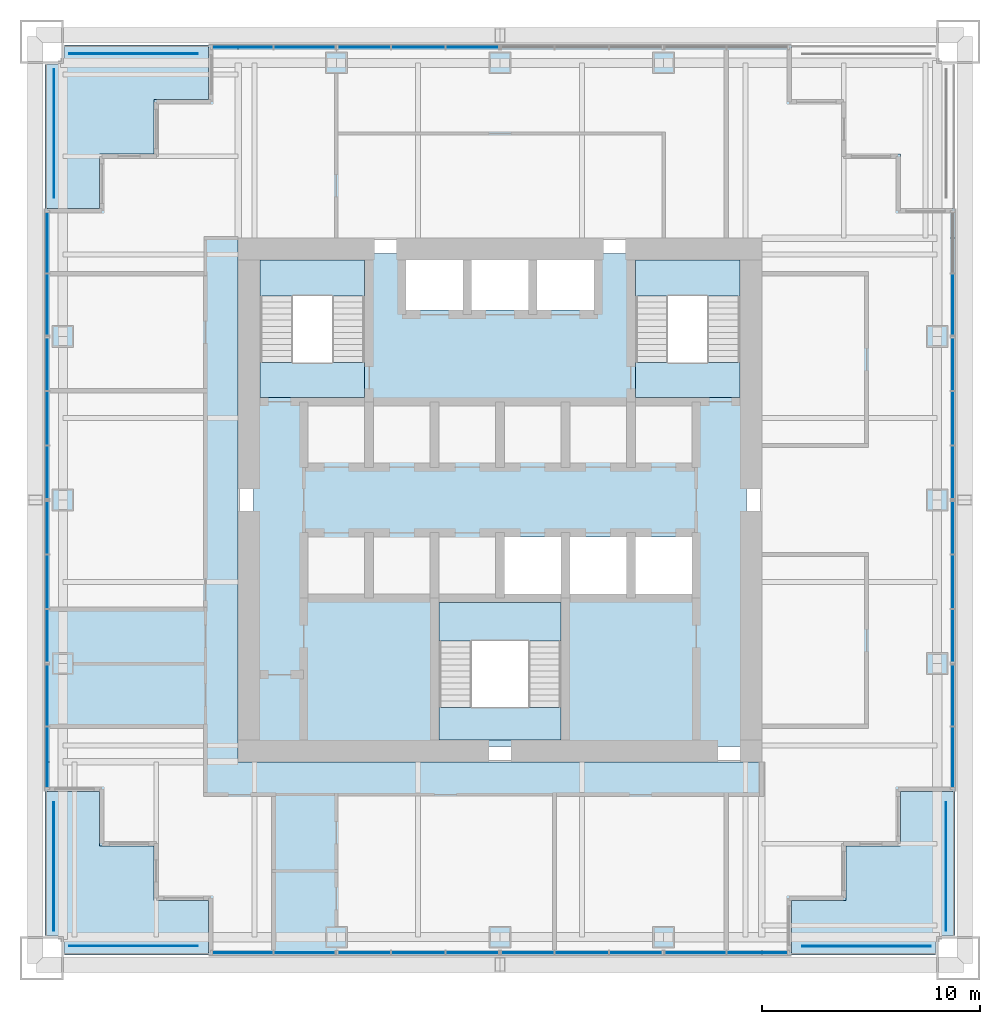
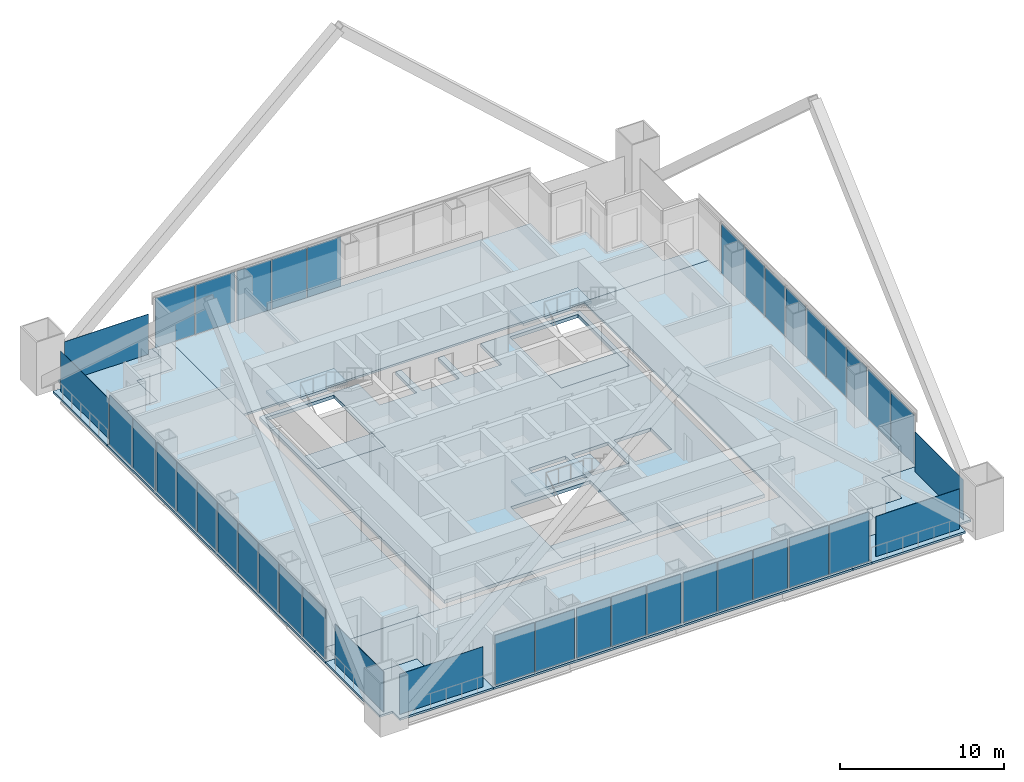
# One storey, part 7 of 13: 40 plates, 14 slabs, 17 elements without a shape of their own.
"""IFC4 building model written with IfcOpenShell, lengths in metres."""

from ifc_helpers import new_model, si_unit, direction, frame, origin, origin_2d, place, context, subcontext, project, spatial, polyline, rectangle, outline, extrude, material, layer, layer_set, type_object, element, aggregate, save


model = new_model("IFC4")

# Units and contexts
model_context = context("Model", 3, precision=1e-05, world=origin(), true_north=direction((0.0, 1.0)))
body_context = subcontext(model_context, "Body", "Model", "MODEL_VIEW")
ifc_project = project(units=[si_unit("LENGTHUNIT", "METRE"), si_unit("AREAUNIT", "SQUARE_METRE"), si_unit("VOLUMEUNIT", "CUBIC_METRE"), si_unit("PLANEANGLEUNIT", "RADIAN"), si_unit("MASSUNIT", "GRAM", prefix="KILO")], contexts=[model_context])

# Site, building, storey
site_placement = place(None, origin())
site = spatial("IfcSite", under=ifc_project, at=site_placement, CompositionType="ELEMENT")
building_placement = place(site_placement, origin())
building = spatial("IfcBuilding", under=site, at=building_placement, Name="Tarangal Relay Tower", CompositionType="ELEMENT")
storey_placement = place(building_placement, frame((0.0, 0.0, 259.89990234375)))
storey = spatial("IfcBuildingStorey", under=building, at=storey_placement, Name="L56", CompositionType="ELEMENT", Elevation=259.89990234375)

# Slabs
ifc_material_1 = material(Name="Concrete fc' 35 MPa", Category="concrete")
ifc_layer_1 = layer(ifc_material_1, 0.25)
ifc_layer_set_1 = layer_set([ifc_layer_1], Name="Core floor slab 250")
slab_type_1 = type_object("IfcSlabType", Name="Core floor slab 250", PredefinedType="FLOOR", material=ifc_layer_set_1)
slab_1_placement = place(storey_placement, frame((0.0, 0.0, -0.25)))
element("IfcSlab", 1, at=slab_1_placement, inside=storey, type_object=slab_type_1, Name="Core floor slab L56", PredefinedType="FLOOR", context=body_context, shape_type="SweptSolid", body=[
    extrude(outline(polyline([(11.300048828125, 11.300048828125), (11.300048828125, -11.300048828125), (-11.300048828125, -11.300048828125), (-11.300048828125, 11.300048828125), (-4.300048828125, 11.300048828125), (-4.300048828125, 8.699951171875), (-1.699951171875, 8.699951171875), (-1.699951171875, 11.300048828125), (-1.300048828125, 11.300048828125), (-1.300048828125, 8.699951171875), (1.300048828125, 8.699951171875), (1.300048828125, 11.300048828125), (1.699951171875, 11.300048828125), (1.699951171875, 8.699951171875), (4.300048828125, 8.699951171875), (4.300048828125, 11.300048828125), (11.300048828125, 11.300048828125)]), holes=[polyline([(2.800048828125, -4.699951171875), (-2.800048828125, -4.699951171875), (-2.800048828125, -11.0), (2.800048828125, -11.0), (2.800048828125, -4.699951171875)]), polyline([(2.800048828125, -1.699951171875), (0.199951171875, -1.699951171875), (0.199951171875, -4.300048828125), (2.800048828125, -4.300048828125), (2.800048828125, -1.699951171875)]), polyline([(5.800048828125, -1.699951171875), (3.199951171875, -1.699951171875), (3.199951171875, -4.300048828125), (5.800048828125, -4.300048828125), (5.800048828125, -1.699951171875)]), polyline([(8.800048828125, -1.699951171875), (6.199951171875, -1.699951171875), (6.199951171875, -4.300048828125), (8.800048828125, -4.300048828125), (8.800048828125, -1.699951171875)]), polyline([(-6.199951171875, 11.0), (-11.0, 11.0), (-11.0, 4.699951171875), (-6.199951171875, 4.699951171875), (-6.199951171875, 11.0)]), polyline([(11.0, 11.0), (6.199951171875, 11.0), (6.199951171875, 4.699951171875), (11.0, 4.699951171875), (11.0, 11.0)])]), origin(), (0.0, 0.0, 1.0), 0.25),
])
ifc_layer_2 = layer(ifc_material_1, 0.14990234375)
ifc_layer_set_2 = layer_set([ifc_layer_2], Name="Floor slab 150")
slab_type_2 = type_object("IfcSlabType", Name="Floor slab 150", PredefinedType="FLOOR", material=ifc_layer_set_2)
slab_2_placement = place(storey_placement, frame((0.0, 0.0, -0.14990234375)))
element("IfcSlab", 2, at=slab_2_placement, inside=storey, type_object=slab_type_2, Name="Floor slab FS3 L56 north bay", PredefinedType="FLOOR", context=body_context, shape_type="SweptSolid", body=[
    extrude(outline(polyline([(13.35009765625, 20.85009765625), (13.35009765625, 18.35009765625), (15.85009765625, 18.35009765625), (15.85009765625, 15.85009765625), (18.35009765625, 15.85009765625), (18.35009765625, 13.35009765625), (20.85009765625, 13.35009765625), (20.85009765625, 12.0), (-12.0, 12.0), (-12.0, 20.85009765625), (13.35009765625, 20.85009765625)])), origin(), (0.0, 0.0, 1.0), 0.14990234375),
])
slab_3_placement = place(storey_placement, frame((0.0, 0.0, -0.14990234375)))
element("IfcSlab", 3, at=slab_3_placement, inside=storey, type_object=slab_type_2, Name="Floor slab FS3 L56 east bay", PredefinedType="FLOOR", context=body_context, shape_type="SweptSolid", body=[
    extrude(outline(polyline([(20.85009765625, -13.35009765625), (18.35009765625, -13.35009765625), (18.35009765625, -15.85009765625), (15.85009765625, -15.85009765625), (15.85009765625, -18.35009765625), (13.35009765625, -18.35009765625), (13.35009765625, -20.85009765625), (12.0, -20.85009765625), (12.0, 12.0), (20.85009765625, 12.0), (20.85009765625, -13.35009765625)])), origin(), (0.0, 0.0, 1.0), 0.14990234375),
])
slab_4_placement = place(storey_placement, frame((0.0, 0.0, -0.14990234375)))
element("IfcSlab", 4, at=slab_4_placement, inside=storey, type_object=slab_type_2, Name="Floor slab FS3 L56 south bay", PredefinedType="FLOOR", context=body_context, shape_type="SweptSolid", body=[
    extrude(outline(polyline([(-13.35009765625, -20.85009765625), (-13.35009765625, -18.35009765625), (-15.85009765625, -18.35009765625), (-15.85009765625, -15.85009765625), (-18.35009765625, -15.85009765625), (-18.35009765625, -13.35009765625), (-20.85009765625, -13.35009765625), (-20.85009765625, -12.0), (12.0, -12.0), (12.0, -20.85009765625), (-13.35009765625, -20.85009765625)])), origin(), (0.0, 0.0, 1.0), 0.14990234375),
])
slab_5_placement = place(storey_placement, frame((0.0, 0.0, -0.14990234375)))
element("IfcSlab", 5, at=slab_5_placement, inside=storey, type_object=slab_type_2, Name="Floor slab FS3 L56 west bay", PredefinedType="FLOOR", context=body_context, shape_type="SweptSolid", body=[
    extrude(outline(polyline([(-12.0, 20.85009765625), (-12.0, -12.0), (-20.85009765625, -12.0), (-20.85009765625, 13.35009765625), (-18.35009765625, 13.35009765625), (-18.35009765625, 15.85009765625), (-15.85009765625, 15.85009765625), (-15.85009765625, 18.35009765625), (-13.35009765625, 18.35009765625), (-13.35009765625, 20.85009765625), (-12.0, 20.85009765625)])), origin(), (0.0, 0.0, 1.0), 0.14990234375),
])

# Curtain wall, plates
ifc_material_2 = material(Name="Unitised curtain wall, dark glass and black aluminium", Category="aluminium")
curtain_wall_type = type_object("IfcCurtainWallType", Name="Curtain wall CW-S", PredefinedType="USERDEFINED", material=ifc_material_2)
curtain_wall_1_placement = place(storey_placement, origin())
curtain_wall_1 = element("IfcCurtainWall", 6, at=curtain_wall_1_placement, inside=storey, type_object=curtain_wall_type, Name="Curtain wall CW-S N facade L56", ObjectType="UNITISED CURTAIN WALL", PredefinedType="USERDEFINED")
ifc_material_3 = material(Name="Dark tinted insulated glass unit", Category="glass")
ifc_layer_3 = layer(ifc_material_3, 0.035888671875)
ifc_layer_set_3 = layer_set([ifc_layer_3], Name="Glazed panel CW-S 36")
plate_type_1 = type_object("IfcPlateType", Name="Glazed panel CW-S 36", PredefinedType="CURTAIN_PANEL", material=ifc_layer_set_3)
plate_1_placement = place(storey_placement, frame((-11.793701171875, 20.75, 0.0751953125), z_axis=(0.0, 0.0, 1.0), x_axis=(1.0, 0.0, 0.0)))
plate_1 = element("IfcPlate", 7, at=plate_1_placement, type_object=plate_type_1, Name="CW-S panel 1.1", PredefinedType="CURTAIN_PANEL", context=body_context, shape_type="SweptSolid", body=[
    extrude(rectangle(XDim=2.762451171875, YDim=0.035888671875, at=origin_2d()), origin(), (0.0, 0.0, 1.0), 3.699951171875),
])
plate_2_placement = place(storey_placement, frame((-8.956298828125, 20.75, 0.0751953125), z_axis=(0.0, 0.0, 1.0), x_axis=(1.0, 0.0, 0.0)))
plate_2 = element("IfcPlate", 8, at=plate_2_placement, type_object=plate_type_1, Name="CW-S panel 2.1", PredefinedType="CURTAIN_PANEL", context=body_context, shape_type="SweptSolid", body=[
    extrude(rectangle(XDim=2.762451171875, YDim=0.035888671875, at=origin_2d()), origin(), (0.0, 0.0, 1.0), 3.699951171875),
])
aggregate(curtain_wall_1, [plate_1, plate_2])

curtain_wall_2_placement = place(storey_placement, origin())
curtain_wall_2 = element("IfcCurtainWall", 9, at=curtain_wall_2_placement, inside=storey, type_object=curtain_wall_type, Name="Curtain wall CW-S N facade L56", ObjectType="UNITISED CURTAIN WALL", PredefinedType="USERDEFINED")
plate_3_placement = place(storey_placement, frame((-6.231201171875, 20.75, 0.0751953125), z_axis=(0.0, 0.0, 1.0), x_axis=(1.0, 0.0, 0.0)))
plate_3 = element("IfcPlate", 10, at=plate_3_placement, type_object=plate_type_1, Name="CW-S panel 1.1", PredefinedType="CURTAIN_PANEL", context=body_context, shape_type="SweptSolid", body=[
    extrude(rectangle(XDim=2.387451171875, YDim=0.035888671875, at=origin_2d()), origin(), (0.0, 0.0, 1.0), 3.699951171875),
])
plate_4_placement = place(storey_placement, frame((-3.75, 20.75, 0.0751953125), z_axis=(0.0, 0.0, 1.0), x_axis=(1.0, 0.0, 0.0)))
plate_4 = element("IfcPlate", 11, at=plate_4_placement, type_object=plate_type_1, Name="CW-S panel 2.1", PredefinedType="CURTAIN_PANEL", context=body_context, shape_type="SweptSolid", body=[
    extrude(rectangle(XDim=2.425048828125, YDim=0.035888671875, at=origin_2d()), origin(), (0.0, 0.0, 1.0), 3.699951171875),
])
plate_5_placement = place(storey_placement, frame((-1.268798828125, 20.75, 0.0751953125), z_axis=(0.0, 0.0, 1.0), x_axis=(1.0, 0.0, 0.0)))
plate_5 = element("IfcPlate", 12, at=plate_5_placement, type_object=plate_type_1, Name="CW-S panel 3.1", PredefinedType="CURTAIN_PANEL", context=body_context, shape_type="SweptSolid", body=[
    extrude(rectangle(XDim=2.387451171875, YDim=0.035888671875, at=origin_2d()), origin(), (0.0, 0.0, 1.0), 3.699951171875),
])
aggregate(curtain_wall_2, [plate_3, plate_4, plate_5])

# Curtain wall, plate
curtain_wall_3_placement = place(storey_placement, origin())
curtain_wall_3 = element("IfcCurtainWall", 13, at=curtain_wall_3_placement, inside=storey, type_object=curtain_wall_type, Name="Curtain wall CW-S E facade L56", ObjectType="UNITISED CURTAIN WALL", PredefinedType="USERDEFINED")
plate_6_placement = place(storey_placement, frame((20.75, 8.956298828125, 0.0751953125), z_axis=(0.0, 0.0, 1.0), x_axis=(0.0, -1.0, 0.0)))
plate_6 = element("IfcPlate", 14, at=plate_6_placement, type_object=plate_type_1, Name="CW-S panel 2.1", PredefinedType="CURTAIN_PANEL", context=body_context, shape_type="SweptSolid", body=[
    extrude(rectangle(XDim=2.762451171875, YDim=0.035888671875, at=origin_2d()), origin(), (0.0, 0.0, 1.0), 3.699951171875),
])
aggregate(curtain_wall_3, [plate_6])

# Curtain wall, plates
curtain_wall_4_placement = place(storey_placement, origin())
curtain_wall_4 = element("IfcCurtainWall", 15, at=curtain_wall_4_placement, inside=storey, type_object=curtain_wall_type, Name="Curtain wall CW-S E facade L56", ObjectType="UNITISED CURTAIN WALL", PredefinedType="USERDEFINED")
plate_7_placement = place(storey_placement, frame((20.75, 6.231201171875, 0.0751953125), z_axis=(0.0, 0.0, 1.0), x_axis=(0.0, -1.0, 0.0)))
plate_7 = element("IfcPlate", 16, at=plate_7_placement, type_object=plate_type_1, Name="CW-S panel 1.1", PredefinedType="CURTAIN_PANEL", context=body_context, shape_type="SweptSolid", body=[
    extrude(rectangle(XDim=2.387451171875, YDim=0.035888671875, at=origin_2d()), origin(), (0.0, 0.0, 1.0), 3.699951171875),
])
plate_8_placement = place(storey_placement, frame((20.75, 3.75, 0.0751953125), z_axis=(0.0, 0.0, 1.0), x_axis=(0.0, -1.0, 0.0)))
plate_8 = element("IfcPlate", 17, at=plate_8_placement, type_object=plate_type_1, Name="CW-S panel 2.1", PredefinedType="CURTAIN_PANEL", context=body_context, shape_type="SweptSolid", body=[
    extrude(rectangle(XDim=2.425048828125, YDim=0.035888671875, at=origin_2d()), origin(), (0.0, 0.0, 1.0), 3.699951171875),
])
plate_9_placement = place(storey_placement, frame((20.75, 1.268798828125, 0.0751953125), z_axis=(0.0, 0.0, 1.0), x_axis=(0.0, -1.0, 0.0)))
plate_9 = element("IfcPlate", 18, at=plate_9_placement, type_object=plate_type_1, Name="CW-S panel 3.1", PredefinedType="CURTAIN_PANEL", context=body_context, shape_type="SweptSolid", body=[
    extrude(rectangle(XDim=2.387451171875, YDim=0.035888671875, at=origin_2d()), origin(), (0.0, 0.0, 1.0), 3.699951171875),
])
aggregate(curtain_wall_4, [plate_7, plate_8, plate_9])

curtain_wall_5_placement = place(storey_placement, origin())
curtain_wall_5 = element("IfcCurtainWall", 19, at=curtain_wall_5_placement, inside=storey, type_object=curtain_wall_type, Name="Curtain wall CW-S E facade L56", ObjectType="UNITISED CURTAIN WALL", PredefinedType="USERDEFINED")
plate_10_placement = place(storey_placement, frame((20.75, -1.268798828125, 0.0751953125), z_axis=(0.0, 0.0, 1.0), x_axis=(0.0, -1.0, 0.0)))
plate_10 = element("IfcPlate", 20, at=plate_10_placement, type_object=plate_type_1, Name="CW-S panel 1.1", PredefinedType="CURTAIN_PANEL", context=body_context, shape_type="SweptSolid", body=[
    extrude(rectangle(XDim=2.387451171875, YDim=0.035888671875, at=origin_2d()), origin(), (0.0, 0.0, 1.0), 3.699951171875),
])
plate_11_placement = place(storey_placement, frame((20.75, -3.75, 0.0751953125), z_axis=(0.0, 0.0, 1.0), x_axis=(0.0, -1.0, 0.0)))
plate_11 = element("IfcPlate", 21, at=plate_11_placement, type_object=plate_type_1, Name="CW-S panel 2.1", PredefinedType="CURTAIN_PANEL", context=body_context, shape_type="SweptSolid", body=[
    extrude(rectangle(XDim=2.425048828125, YDim=0.035888671875, at=origin_2d()), origin(), (0.0, 0.0, 1.0), 3.699951171875),
])
plate_12_placement = place(storey_placement, frame((20.75, -6.231201171875, 0.0751953125), z_axis=(0.0, 0.0, 1.0), x_axis=(0.0, -1.0, 0.0)))
plate_12 = element("IfcPlate", 22, at=plate_12_placement, type_object=plate_type_1, Name="CW-S panel 3.1", PredefinedType="CURTAIN_PANEL", context=body_context, shape_type="SweptSolid", body=[
    extrude(rectangle(XDim=2.387451171875, YDim=0.035888671875, at=origin_2d()), origin(), (0.0, 0.0, 1.0), 3.699951171875),
])
aggregate(curtain_wall_5, [plate_10, plate_11, plate_12])

curtain_wall_6_placement = place(storey_placement, origin())
curtain_wall_6 = element("IfcCurtainWall", 23, at=curtain_wall_6_placement, inside=storey, type_object=curtain_wall_type, Name="Curtain wall CW-S E facade L56", ObjectType="UNITISED CURTAIN WALL", PredefinedType="USERDEFINED")
plate_13_placement = place(storey_placement, frame((20.75, -8.956298828125, 0.0751953125), z_axis=(0.0, 0.0, 1.0), x_axis=(0.0, -1.0, 0.0)))
plate_13 = element("IfcPlate", 24, at=plate_13_placement, type_object=plate_type_1, Name="CW-S panel 1.1", PredefinedType="CURTAIN_PANEL", context=body_context, shape_type="SweptSolid", body=[
    extrude(rectangle(XDim=2.762451171875, YDim=0.035888671875, at=origin_2d()), origin(), (0.0, 0.0, 1.0), 3.699951171875),
])
plate_14_placement = place(storey_placement, frame((20.75, -11.793701171875, 0.0751953125), z_axis=(0.0, 0.0, 1.0), x_axis=(0.0, -1.0, 0.0)))
plate_14 = element("IfcPlate", 25, at=plate_14_placement, type_object=plate_type_1, Name="CW-S panel 2.1", PredefinedType="CURTAIN_PANEL", context=body_context, shape_type="SweptSolid", body=[
    extrude(rectangle(XDim=2.762451171875, YDim=0.035888671875, at=origin_2d()), origin(), (0.0, 0.0, 1.0), 3.699951171875),
])
aggregate(curtain_wall_6, [plate_13, plate_14])

curtain_wall_7_placement = place(storey_placement, origin())
curtain_wall_7 = element("IfcCurtainWall", 26, at=curtain_wall_7_placement, inside=storey, type_object=curtain_wall_type, Name="Curtain wall CW-S S facade L56", ObjectType="UNITISED CURTAIN WALL", PredefinedType="USERDEFINED")
plate_15_placement = place(storey_placement, frame((11.793701171875, -20.75, 0.0751953125), z_axis=(0.0, 0.0, 1.0), x_axis=(-1.0, 0.0, 0.0)))
plate_15 = element("IfcPlate", 27, at=plate_15_placement, type_object=plate_type_1, Name="CW-S panel 1.1", PredefinedType="CURTAIN_PANEL", context=body_context, shape_type="SweptSolid", body=[
    extrude(rectangle(XDim=2.762451171875, YDim=0.035888671875, at=origin_2d()), origin(), (0.0, 0.0, 1.0), 3.699951171875),
])
plate_16_placement = place(storey_placement, frame((8.956298828125, -20.75, 0.0751953125), z_axis=(0.0, 0.0, 1.0), x_axis=(-1.0, 0.0, 0.0)))
plate_16 = element("IfcPlate", 28, at=plate_16_placement, type_object=plate_type_1, Name="CW-S panel 2.1", PredefinedType="CURTAIN_PANEL", context=body_context, shape_type="SweptSolid", body=[
    extrude(rectangle(XDim=2.762451171875, YDim=0.035888671875, at=origin_2d()), origin(), (0.0, 0.0, 1.0), 3.699951171875),
])
aggregate(curtain_wall_7, [plate_15, plate_16])

curtain_wall_8_placement = place(storey_placement, origin())
curtain_wall_8 = element("IfcCurtainWall", 29, at=curtain_wall_8_placement, inside=storey, type_object=curtain_wall_type, Name="Curtain wall CW-S S facade L56", ObjectType="UNITISED CURTAIN WALL", PredefinedType="USERDEFINED")
plate_17_placement = place(storey_placement, frame((6.231201171875, -20.75, 0.0751953125), z_axis=(0.0, 0.0, 1.0), x_axis=(-1.0, 0.0, 0.0)))
plate_17 = element("IfcPlate", 30, at=plate_17_placement, type_object=plate_type_1, Name="CW-S panel 1.1", PredefinedType="CURTAIN_PANEL", context=body_context, shape_type="SweptSolid", body=[
    extrude(rectangle(XDim=2.387451171875, YDim=0.035888671875, at=origin_2d()), origin(), (0.0, 0.0, 1.0), 3.699951171875),
])
plate_18_placement = place(storey_placement, frame((3.75, -20.75, 0.0751953125), z_axis=(0.0, 0.0, 1.0), x_axis=(-1.0, 0.0, 0.0)))
plate_18 = element("IfcPlate", 31, at=plate_18_placement, type_object=plate_type_1, Name="CW-S panel 2.1", PredefinedType="CURTAIN_PANEL", context=body_context, shape_type="SweptSolid", body=[
    extrude(rectangle(XDim=2.425048828125, YDim=0.035888671875, at=origin_2d()), origin(), (0.0, 0.0, 1.0), 3.699951171875),
])
plate_19_placement = place(storey_placement, frame((1.268798828125, -20.75, 0.0751953125), z_axis=(0.0, 0.0, 1.0), x_axis=(-1.0, 0.0, 0.0)))
plate_19 = element("IfcPlate", 32, at=plate_19_placement, type_object=plate_type_1, Name="CW-S panel 3.1", PredefinedType="CURTAIN_PANEL", context=body_context, shape_type="SweptSolid", body=[
    extrude(rectangle(XDim=2.387451171875, YDim=0.035888671875, at=origin_2d()), origin(), (0.0, 0.0, 1.0), 3.699951171875),
])
aggregate(curtain_wall_8, [plate_17, plate_18, plate_19])

curtain_wall_9_placement = place(storey_placement, origin())
curtain_wall_9 = element("IfcCurtainWall", 33, at=curtain_wall_9_placement, inside=storey, type_object=curtain_wall_type, Name="Curtain wall CW-S S facade L56", ObjectType="UNITISED CURTAIN WALL", PredefinedType="USERDEFINED")
plate_20_placement = place(storey_placement, frame((-1.268798828125, -20.75, 0.0751953125), z_axis=(0.0, 0.0, 1.0), x_axis=(-1.0, 0.0, 0.0)))
plate_20 = element("IfcPlate", 34, at=plate_20_placement, type_object=plate_type_1, Name="CW-S panel 1.1", PredefinedType="CURTAIN_PANEL", context=body_context, shape_type="SweptSolid", body=[
    extrude(rectangle(XDim=2.387451171875, YDim=0.035888671875, at=origin_2d()), origin(), (0.0, 0.0, 1.0), 3.699951171875),
])
plate_21_placement = place(storey_placement, frame((-3.75, -20.75, 0.0751953125), z_axis=(0.0, 0.0, 1.0), x_axis=(-1.0, 0.0, 0.0)))
plate_21 = element("IfcPlate", 35, at=plate_21_placement, type_object=plate_type_1, Name="CW-S panel 2.1", PredefinedType="CURTAIN_PANEL", context=body_context, shape_type="SweptSolid", body=[
    extrude(rectangle(XDim=2.425048828125, YDim=0.035888671875, at=origin_2d()), origin(), (0.0, 0.0, 1.0), 3.699951171875),
])
plate_22_placement = place(storey_placement, frame((-6.231201171875, -20.75, 0.0751953125), z_axis=(0.0, 0.0, 1.0), x_axis=(-1.0, 0.0, 0.0)))
plate_22 = element("IfcPlate", 36, at=plate_22_placement, type_object=plate_type_1, Name="CW-S panel 3.1", PredefinedType="CURTAIN_PANEL", context=body_context, shape_type="SweptSolid", body=[
    extrude(rectangle(XDim=2.387451171875, YDim=0.035888671875, at=origin_2d()), origin(), (0.0, 0.0, 1.0), 3.699951171875),
])
aggregate(curtain_wall_9, [plate_20, plate_21, plate_22])

curtain_wall_10_placement = place(storey_placement, origin())
curtain_wall_10 = element("IfcCurtainWall", 37, at=curtain_wall_10_placement, inside=storey, type_object=curtain_wall_type, Name="Curtain wall CW-S S facade L56", ObjectType="UNITISED CURTAIN WALL", PredefinedType="USERDEFINED")
plate_23_placement = place(storey_placement, frame((-8.956298828125, -20.75, 0.0751953125), z_axis=(0.0, 0.0, 1.0), x_axis=(-1.0, 0.0, 0.0)))
plate_23 = element("IfcPlate", 38, at=plate_23_placement, type_object=plate_type_1, Name="CW-S panel 1.1", PredefinedType="CURTAIN_PANEL", context=body_context, shape_type="SweptSolid", body=[
    extrude(rectangle(XDim=2.762451171875, YDim=0.035888671875, at=origin_2d()), origin(), (0.0, 0.0, 1.0), 3.699951171875),
])
plate_24_placement = place(storey_placement, frame((-11.793701171875, -20.75, 0.0751953125), z_axis=(0.0, 0.0, 1.0), x_axis=(-1.0, 0.0, 0.0)))
plate_24 = element("IfcPlate", 39, at=plate_24_placement, type_object=plate_type_1, Name="CW-S panel 2.1", PredefinedType="CURTAIN_PANEL", context=body_context, shape_type="SweptSolid", body=[
    extrude(rectangle(XDim=2.762451171875, YDim=0.035888671875, at=origin_2d()), origin(), (0.0, 0.0, 1.0), 3.699951171875),
])
aggregate(curtain_wall_10, [plate_23, plate_24])

curtain_wall_11_placement = place(storey_placement, origin())
curtain_wall_11 = element("IfcCurtainWall", 40, at=curtain_wall_11_placement, inside=storey, type_object=curtain_wall_type, Name="Curtain wall CW-S W facade L56", ObjectType="UNITISED CURTAIN WALL", PredefinedType="USERDEFINED")
plate_25_placement = place(storey_placement, frame((-20.75, -11.793701171875, 0.0751953125), z_axis=(0.0, 0.0, 1.0), x_axis=(0.0, 1.0, 0.0)))
plate_25 = element("IfcPlate", 41, at=plate_25_placement, type_object=plate_type_1, Name="CW-S panel 1.1", PredefinedType="CURTAIN_PANEL", context=body_context, shape_type="SweptSolid", body=[
    extrude(rectangle(XDim=2.762451171875, YDim=0.035888671875, at=origin_2d()), origin(), (0.0, 0.0, 1.0), 3.699951171875),
])
plate_26_placement = place(storey_placement, frame((-20.75, -8.956298828125, 0.0751953125), z_axis=(0.0, 0.0, 1.0), x_axis=(0.0, 1.0, 0.0)))
plate_26 = element("IfcPlate", 42, at=plate_26_placement, type_object=plate_type_1, Name="CW-S panel 2.1", PredefinedType="CURTAIN_PANEL", context=body_context, shape_type="SweptSolid", body=[
    extrude(rectangle(XDim=2.762451171875, YDim=0.035888671875, at=origin_2d()), origin(), (0.0, 0.0, 1.0), 3.699951171875),
])
aggregate(curtain_wall_11, [plate_25, plate_26])

curtain_wall_12_placement = place(storey_placement, origin())
curtain_wall_12 = element("IfcCurtainWall", 43, at=curtain_wall_12_placement, inside=storey, type_object=curtain_wall_type, Name="Curtain wall CW-S W facade L56", ObjectType="UNITISED CURTAIN WALL", PredefinedType="USERDEFINED")
plate_27_placement = place(storey_placement, frame((-20.75, -6.231201171875, 0.0751953125), z_axis=(0.0, 0.0, 1.0), x_axis=(0.0, 1.0, 0.0)))
plate_27 = element("IfcPlate", 44, at=plate_27_placement, type_object=plate_type_1, Name="CW-S panel 1.1", PredefinedType="CURTAIN_PANEL", context=body_context, shape_type="SweptSolid", body=[
    extrude(rectangle(XDim=2.387451171875, YDim=0.035888671875, at=origin_2d()), origin(), (0.0, 0.0, 1.0), 3.699951171875),
])
plate_28_placement = place(storey_placement, frame((-20.75, -3.75, 0.0751953125), z_axis=(0.0, 0.0, 1.0), x_axis=(0.0, 1.0, 0.0)))
plate_28 = element("IfcPlate", 45, at=plate_28_placement, type_object=plate_type_1, Name="CW-S panel 2.1", PredefinedType="CURTAIN_PANEL", context=body_context, shape_type="SweptSolid", body=[
    extrude(rectangle(XDim=2.425048828125, YDim=0.035888671875, at=origin_2d()), origin(), (0.0, 0.0, 1.0), 3.699951171875),
])
plate_29_placement = place(storey_placement, frame((-20.75, -1.268798828125, 0.0751953125), z_axis=(0.0, 0.0, 1.0), x_axis=(0.0, 1.0, 0.0)))
plate_29 = element("IfcPlate", 46, at=plate_29_placement, type_object=plate_type_1, Name="CW-S panel 3.1", PredefinedType="CURTAIN_PANEL", context=body_context, shape_type="SweptSolid", body=[
    extrude(rectangle(XDim=2.387451171875, YDim=0.035888671875, at=origin_2d()), origin(), (0.0, 0.0, 1.0), 3.699951171875),
])
aggregate(curtain_wall_12, [plate_27, plate_28, plate_29])

curtain_wall_13_placement = place(storey_placement, origin())
curtain_wall_13 = element("IfcCurtainWall", 47, at=curtain_wall_13_placement, inside=storey, type_object=curtain_wall_type, Name="Curtain wall CW-S W facade L56", ObjectType="UNITISED CURTAIN WALL", PredefinedType="USERDEFINED")
plate_30_placement = place(storey_placement, frame((-20.75, 1.268798828125, 0.0751953125), z_axis=(0.0, 0.0, 1.0), x_axis=(0.0, 1.0, 0.0)))
plate_30 = element("IfcPlate", 48, at=plate_30_placement, type_object=plate_type_1, Name="CW-S panel 1.1", PredefinedType="CURTAIN_PANEL", context=body_context, shape_type="SweptSolid", body=[
    extrude(rectangle(XDim=2.387451171875, YDim=0.035888671875, at=origin_2d()), origin(), (0.0, 0.0, 1.0), 3.699951171875),
])
plate_31_placement = place(storey_placement, frame((-20.75, 3.75, 0.0751953125), z_axis=(0.0, 0.0, 1.0), x_axis=(0.0, 1.0, 0.0)))
plate_31 = element("IfcPlate", 49, at=plate_31_placement, type_object=plate_type_1, Name="CW-S panel 2.1", PredefinedType="CURTAIN_PANEL", context=body_context, shape_type="SweptSolid", body=[
    extrude(rectangle(XDim=2.425048828125, YDim=0.035888671875, at=origin_2d()), origin(), (0.0, 0.0, 1.0), 3.699951171875),
])
plate_32_placement = place(storey_placement, frame((-20.75, 6.231201171875, 0.0751953125), z_axis=(0.0, 0.0, 1.0), x_axis=(0.0, 1.0, 0.0)))
plate_32 = element("IfcPlate", 50, at=plate_32_placement, type_object=plate_type_1, Name="CW-S panel 3.1", PredefinedType="CURTAIN_PANEL", context=body_context, shape_type="SweptSolid", body=[
    extrude(rectangle(XDim=2.387451171875, YDim=0.035888671875, at=origin_2d()), origin(), (0.0, 0.0, 1.0), 3.699951171875),
])
aggregate(curtain_wall_13, [plate_30, plate_31, plate_32])

curtain_wall_14_placement = place(storey_placement, origin())
curtain_wall_14 = element("IfcCurtainWall", 51, at=curtain_wall_14_placement, inside=storey, type_object=curtain_wall_type, Name="Curtain wall CW-S W facade L56", ObjectType="UNITISED CURTAIN WALL", PredefinedType="USERDEFINED")
plate_33_placement = place(storey_placement, frame((-20.75, 8.956298828125, 0.0751953125), z_axis=(0.0, 0.0, 1.0), x_axis=(0.0, 1.0, 0.0)))
plate_33 = element("IfcPlate", 52, at=plate_33_placement, type_object=plate_type_1, Name="CW-S panel 1.1", PredefinedType="CURTAIN_PANEL", context=body_context, shape_type="SweptSolid", body=[
    extrude(rectangle(XDim=2.762451171875, YDim=0.035888671875, at=origin_2d()), origin(), (0.0, 0.0, 1.0), 3.699951171875),
])
plate_34_placement = place(storey_placement, frame((-20.75, 11.793701171875, 0.0751953125), z_axis=(0.0, 0.0, 1.0), x_axis=(0.0, 1.0, 0.0)))
plate_34 = element("IfcPlate", 53, at=plate_34_placement, type_object=plate_type_1, Name="CW-S panel 2.1", PredefinedType="CURTAIN_PANEL", context=body_context, shape_type="SweptSolid", body=[
    extrude(rectangle(XDim=2.762451171875, YDim=0.035888671875, at=origin_2d()), origin(), (0.0, 0.0, 1.0), 3.699951171875),
])
aggregate(curtain_wall_14, [plate_33, plate_34])

# Plates
ifc_material_4 = material(Name="Black stainless steel cable trellis with climbing planting", Category="steel")
ifc_layer_4 = layer(ifc_material_4, 0.030029296875)
ifc_layer_set_4 = layer_set([ifc_layer_4], Name="Planted trellis screen")
plate_type_2 = type_object("IfcPlateType", Name="Planted trellis screen", PredefinedType="SHEET", material=ifc_layer_set_4)
for number, where, z_axis, x_axis, name in (
    (54, (16.800048828125, -20.449951171875, 0.0), (0.0, 0.0, 1.0), (-1.0, 0.0, 0.0), "Planted trellis SC2 SE L56"),
    (55, (-20.449951171875, -16.800048828125, 0.0), (0.0, 0.0, 1.0), (0.0, 1.0, 0.0), "Planted trellis SC2 SW L56"),
    (56, (-16.800048828125, 20.449951171875, 0.0), (0.0, 0.0, 1.0), (1.0, 0.0, 0.0), "Planted trellis SC2 NW L56"),
):
    element("IfcPlate", number, at=place(storey_placement, frame(where, z_axis=z_axis, x_axis=x_axis)), inside=storey, type_object=plate_type_2, Name=name, PredefinedType="SHEET", context=body_context, shape_type="SweptSolid", body=[
        extrude(rectangle(XDim=5.89990234375, YDim=0.030029296875, at=origin_2d()), origin(), (0.0, 0.0, 1.0), 3.0),
    ])

# Stair, slabs
ifc_material_5 = material(Name="Steel ASTM A992 stair flight", Category="steel")
stair_type = type_object("IfcStairType", Name="Core stair 1500", PredefinedType="HALF_TURN_STAIR", material=ifc_material_5)
stair_1_placement = place(storey_placement, origin())
stair_1 = element("IfcStair", 57, at=stair_1_placement, inside=storey, type_object=stair_type, Name="Stair ST-A L56", PredefinedType="HALF_TURN_STAIR")
ifc_layer_5 = layer(ifc_material_1, 0.199951171875)
ifc_layer_set_5 = layer_set([ifc_layer_5], Name="Stair landing 200")
slab_type_3 = type_object("IfcSlabType", Name="Stair landing 200", PredefinedType="LANDING", material=ifc_layer_set_5)
slab_6_placement = place(storey_placement, frame((0.0, 0.0, -0.199951171875)))
slab_6 = element("IfcSlab", 58, at=slab_6_placement, type_object=slab_type_3, Name="ST-A landing 1", PredefinedType="LANDING", context=body_context, shape_type="SweptSolid", body=[
    extrude(outline(polyline([(-11.0, 4.699951171875), (-6.199951171875, 4.699951171875), (-6.199951171875, 6.300048828125), (-11.0, 6.300048828125), (-11.0, 4.699951171875)])), origin(), (0.0, 0.0, 1.0), 0.199951171875),
])
slab_7_placement = place(storey_placement, frame((0.0, 0.0, 1.800048828125)))
slab_7 = element("IfcSlab", 59, at=slab_7_placement, type_object=slab_type_3, Name="ST-A landing 2", PredefinedType="LANDING", context=body_context, shape_type="SweptSolid", body=[
    extrude(outline(polyline([(-11.0, 9.346923828125), (-6.199951171875, 9.346923828125), (-6.199951171875, 11.0), (-11.0, 11.0), (-11.0, 9.346923828125)])), origin(), (0.0, 0.0, 1.0), 0.199951171875),
])
aggregate(stair_1, [slab_6, slab_7])

stair_2_placement = place(storey_placement, origin())
stair_2 = element("IfcStair", 60, at=stair_2_placement, inside=storey, type_object=stair_type, Name="Stair ST-B L56", PredefinedType="HALF_TURN_STAIR")
slab_8_placement = place(storey_placement, frame((0.0, 0.0, -0.199951171875)))
slab_8 = element("IfcSlab", 61, at=slab_8_placement, type_object=slab_type_3, Name="ST-B landing 1", PredefinedType="LANDING", context=body_context, shape_type="SweptSolid", body=[
    extrude(outline(polyline([(6.199951171875, 4.699951171875), (11.0, 4.699951171875), (11.0, 6.300048828125), (6.199951171875, 6.300048828125), (6.199951171875, 4.699951171875)])), origin(), (0.0, 0.0, 1.0), 0.199951171875),
])
slab_9_placement = place(storey_placement, frame((0.0, 0.0, 1.800048828125)))
slab_9 = element("IfcSlab", 62, at=slab_9_placement, type_object=slab_type_3, Name="ST-B landing 2", PredefinedType="LANDING", context=body_context, shape_type="SweptSolid", body=[
    extrude(outline(polyline([(6.199951171875, 9.346923828125), (11.0, 9.346923828125), (11.0, 11.0), (6.199951171875, 11.0), (6.199951171875, 9.346923828125)])), origin(), (0.0, 0.0, 1.0), 0.199951171875),
])
aggregate(stair_2, [slab_8, slab_9])

stair_3_placement = place(storey_placement, origin())
stair_3 = element("IfcStair", 63, at=stair_3_placement, inside=storey, type_object=stair_type, Name="Stair ST-C L56", PredefinedType="HALF_TURN_STAIR")
slab_10_placement = place(storey_placement, frame((0.0, 0.0, -0.199951171875)))
slab_10 = element("IfcSlab", 64, at=slab_10_placement, type_object=slab_type_3, Name="ST-C landing 1", PredefinedType="LANDING", context=body_context, shape_type="SweptSolid", body=[
    extrude(outline(polyline([(-2.800048828125, -11.0), (2.800048828125, -11.0), (2.800048828125, -9.5), (-2.800048828125, -9.5), (-2.800048828125, -11.0)])), origin(), (0.0, 0.0, 1.0), 0.199951171875),
])
slab_11_placement = place(storey_placement, frame((0.0, 0.0, 1.800048828125)))
slab_11 = element("IfcSlab", 65, at=slab_11_placement, type_object=slab_type_3, Name="ST-C landing 2", PredefinedType="LANDING", context=body_context, shape_type="SweptSolid", body=[
    extrude(outline(polyline([(-2.800048828125, -6.452880859375), (2.800048828125, -6.452880859375), (2.800048828125, -4.699951171875), (-2.800048828125, -4.699951171875), (-2.800048828125, -6.452880859375)])), origin(), (0.0, 0.0, 1.0), 0.199951171875),
])
aggregate(stair_3, [slab_10, slab_11])

# Plates
ifc_material_6 = material(Name="Perforated black aluminium screen", Category="aluminium")
ifc_layer_6 = layer(ifc_material_6, 0.02001953125)
ifc_layer_set_6 = layer_set([ifc_layer_6], Name="Terrace screen panel")
plate_type_3 = type_object("IfcPlateType", Name="Terrace screen panel", PredefinedType="SHEET", material=ifc_layer_set_6)
for number, where, z_axis, x_axis, name in (
    (66, (20.449951171875, -16.800048828125, 0.0), (0.0, 0.0, 1.0), (0.0, -1.0, 0.0), "Terrace screen SC1 SE L56"),
    (67, (-16.800048828125, -20.449951171875, 0.0), (0.0, 0.0, 1.0), (-1.0, 0.0, 0.0), "Terrace screen SC1 SW L56"),
    (68, (-20.449951171875, 16.800048828125, 0.0), (0.0, 0.0, 1.0), (0.0, 1.0, 0.0), "Terrace screen SC1 NW L56"),
):
    element("IfcPlate", number, at=place(storey_placement, frame(where, z_axis=z_axis, x_axis=x_axis)), inside=storey, type_object=plate_type_3, Name=name, PredefinedType="SHEET", context=body_context, shape_type="SweptSolid", body=[
        extrude(rectangle(XDim=5.89990234375, YDim=0.02001953125, at=origin_2d()), origin(), (0.0, 0.0, 1.0), 3.0),
    ])

# Slabs
ifc_layer_7 = layer(ifc_material_1, 0.14990234375)
ifc_layer_set_7 = layer_set([ifc_layer_7], Name="Terrace slab 150")
slab_type_4 = type_object("IfcSlabType", Name="Terrace slab 150", PredefinedType="FLOOR", material=ifc_layer_set_7)
slab_12_placement = place(storey_placement, frame((0.0, 0.0, -0.14990234375)))
element("IfcSlab", 69, at=slab_12_placement, inside=storey, type_object=slab_type_4, Name="Corner terrace SE L56", PredefinedType="FLOOR", context=body_context, shape_type="SweptSolid", body=[
    extrude(outline(polyline([(20.85009765625, -13.35009765625), (18.35009765625, -13.35009765625), (18.35009765625, -15.85009765625), (15.85009765625, -15.85009765625), (15.85009765625, -18.35009765625), (13.35009765625, -18.35009765625), (13.35009765625, -20.85009765625), (19.949951171875, -20.85009765625), (19.949951171875, -19.949951171875), (20.85009765625, -19.949951171875), (20.85009765625, -13.35009765625)])), origin(), (0.0, 0.0, 1.0), 0.14990234375),
])
slab_13_placement = place(storey_placement, frame((0.0, 0.0, -0.14990234375)))
element("IfcSlab", 70, at=slab_13_placement, inside=storey, type_object=slab_type_4, Name="Corner terrace SW L56", PredefinedType="FLOOR", context=body_context, shape_type="SweptSolid", body=[
    extrude(outline(polyline([(-13.35009765625, -20.85009765625), (-13.35009765625, -18.35009765625), (-15.85009765625, -18.35009765625), (-15.85009765625, -15.85009765625), (-18.35009765625, -15.85009765625), (-18.35009765625, -13.35009765625), (-20.85009765625, -13.35009765625), (-20.85009765625, -19.949951171875), (-19.949951171875, -19.949951171875), (-19.949951171875, -20.85009765625), (-13.35009765625, -20.85009765625)])), origin(), (0.0, 0.0, 1.0), 0.14990234375),
])
slab_14_placement = place(storey_placement, frame((0.0, 0.0, -0.14990234375)))
element("IfcSlab", 71, at=slab_14_placement, inside=storey, type_object=slab_type_4, Name="Corner terrace NW L56", PredefinedType="FLOOR", context=body_context, shape_type="SweptSolid", body=[
    extrude(outline(polyline([(-20.85009765625, 13.35009765625), (-18.35009765625, 13.35009765625), (-18.35009765625, 15.85009765625), (-15.85009765625, 15.85009765625), (-15.85009765625, 18.35009765625), (-13.35009765625, 18.35009765625), (-13.35009765625, 20.85009765625), (-19.949951171875, 20.85009765625), (-19.949951171875, 19.949951171875), (-20.85009765625, 19.949951171875), (-20.85009765625, 13.35009765625)])), origin(), (0.0, 0.0, 1.0), 0.14990234375),
])

save(model, "model.ifc")
